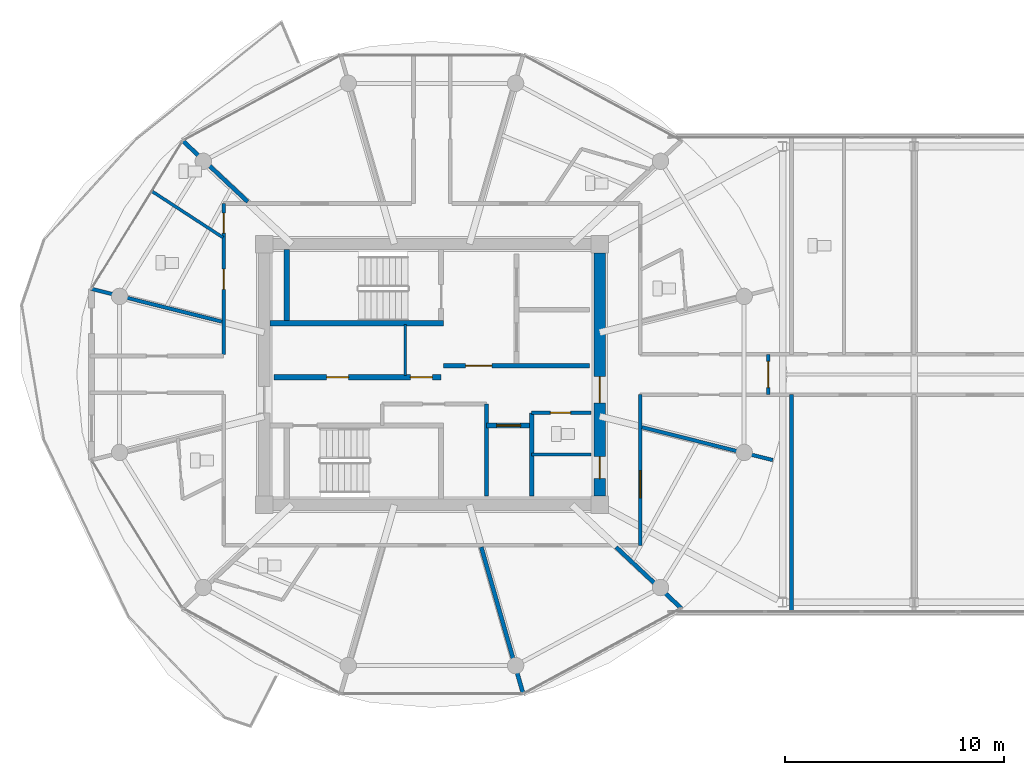
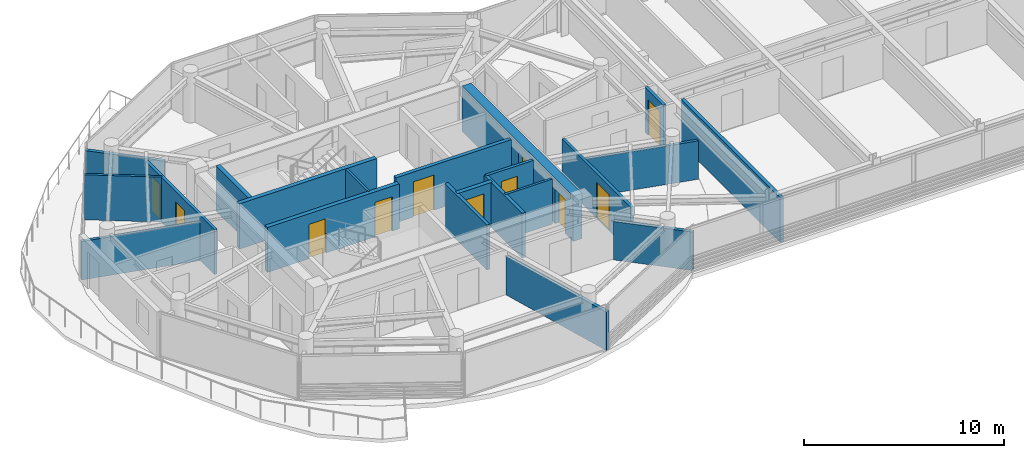
# One storey, part 15 of 26: 21 walls, 11 doors, 11 openings.
"""IFC4 building model written with IfcOpenShell, lengths in metres."""

from ifc_helpers import new_model, si_unit, direction, frame, frame_2d, origin, place, context, subcontext, project, spatial, rectangle, extrude, source, transform, mapped, material, layer, layer_set, type_object, type_shapes, element, fill, save


model = new_model("IFC4")

# Units and contexts
model_context = context("Model", 3, precision=1e-05, world=origin(), true_north=direction((0.0, 1.0)))
body_context = subcontext(model_context, "Body", "Model", "MODEL_VIEW")
ifc_project = project(units=[si_unit("LENGTHUNIT", "METRE"), si_unit("AREAUNIT", "SQUARE_METRE"), si_unit("VOLUMEUNIT", "CUBIC_METRE"), si_unit("PLANEANGLEUNIT", "RADIAN"), si_unit("MASSUNIT", "GRAM", prefix="KILO")], contexts=[model_context])

# Site, building, storey
site_placement = place(None, origin())
site = spatial("IfcSite", under=ifc_project, at=site_placement, CompositionType="ELEMENT")
building_placement = place(site_placement, origin())
building = spatial("IfcBuilding", under=site, at=building_placement, Name="Norrkilde Senior Care Towers", CompositionType="ELEMENT")
storey_placement = place(building_placement, frame((0.0, 0.0, 210.85009765625)))
storey = spatial("IfcBuildingStorey", under=building, at=storey_placement, Name="L65", CompositionType="ELEMENT", Elevation=210.85009765625)

# Wall, openings, doors
ifc_material_1 = material(Name="Concrete C50/60", Category="concrete")
ifc_layer_1 = layer(ifc_material_1, 0.52001953125)
ifc_layer_set_1 = layer_set([ifc_layer_1], Name="Concrete C50/60")
wall_type_1 = type_object("IfcWallType", Name="Core Shear Wall Z4 520", PredefinedType="SHEAR", material=ifc_layer_set_1)
shared_shape_1 = source(origin(), body_context, "Body", "SweptSolid", [
    extrude(rectangle(XDim=11.10009765625, YDim=0.52001953125, at=frame_2d((5.550048828125, 0.0))), origin(), (0.0, 0.0, 1.0), 2.760009765625),
])
type_shapes(wall_type_1, [shared_shape_1])
wall_1_placement = place(storey_placement, frame((-20.35009765625, 5.550048828125, 0.0), z_axis=(0.0, 0.0, 1.0), x_axis=(0.0, -1.0, 0.0)))
wall_1 = element("IfcWall", 1, at=wall_1_placement, inside=storey, type_object=wall_type_1, Name="L65 Core W East Shear Wall", PredefinedType="SHEAR", context=body_context, shape_type="MappedRepresentation", body=[
    mapped(shared_shape_1, transform((0.0, 0.0, 0.0), x_axis=(1.0, 0.0, 0.0), y_axis=(0.0, 1.0, 0.0), z_axis=(0.0, 0.0, 1.0), scale=1.0)),
])
opening_1_placement = place(wall_1_placement, frame((5.64990234375, 0.0, 0.0)))
opening_1 = element("IfcOpeningElement", 2, at=opening_1_placement, cuts=wall_1, Name="Opening D-04", PredefinedType="OPENING", context=body_context, shape_type="SweptSolid", body=[
    extrude(rectangle(XDim=1.199951171875, YDim=2.14990234375, at=frame_2d((0.60009765625, 1.074951171875))), frame((0.0, 0.27001953125, 0.0), z_axis=(0.0, -1.0, 0.0), x_axis=(1.0, 0.0, 0.0)), (0.0, 0.0, 1.0), 0.5400390625),
])
opening_2_placement = place(wall_1_placement, frame((9.300048828125, 0.0, 0.0)))
opening_2 = element("IfcOpeningElement", 3, at=opening_2_placement, cuts=wall_1, Name="Opening D-10", PredefinedType="OPENING", context=body_context, shape_type="SweptSolid", body=[
    extrude(rectangle(XDim=1.0, YDim=2.10009765625, at=frame_2d((0.5, 1.050048828125))), frame((0.0, 0.27001953125, 0.0), z_axis=(0.0, -1.0, 0.0), x_axis=(1.0, 0.0, 0.0)), (0.0, 0.0, 1.0), 0.5400390625),
])
ifc_material_2 = material(Name="Galvanised Painted Steel", Category="steel")
door_type_1 = type_object("IfcDoorType", Name="Firefighting Lobby Fire Door 1200x2150", OperationType="NOTDEFINED", PredefinedType="DOOR", material=ifc_material_2)
shared_shape_2 = source(origin(), body_context, "Body", "SweptSolid", [
    extrude(rectangle(XDim=1.199951171875, YDim=2.14990234375, at=frame_2d((0.60009765625, 1.074951171875))), frame((0.0, 0.02490234375, 0.0), z_axis=(0.0, -1.0, 0.0), x_axis=(1.0, 0.0, 0.0)), (0.0, 0.0, 1.0), 0.050048828125),
])
type_shapes(door_type_1, [shared_shape_2])
door_1_placement = place(opening_1_placement, frame((1.199951171875, 0.0, 0.0), z_axis=(0.0, 0.0, 1.0), x_axis=(-1.0, 0.0, 0.0)))
door_1 = element("IfcDoor", 4, at=door_1_placement, inside=storey, type_object=door_type_1, Name="L65 Core W East Portal Door", OperationType="SINGLE_SWING_RIGHT", OverallHeight=2.14990234375, OverallWidth=1.199951171875, PredefinedType="DOOR", context=body_context, shape_type="MappedRepresentation", body=[
    mapped(shared_shape_2, transform((0.0, 0.0, 0.0), x_axis=(1.0, 0.0, 0.0), y_axis=(0.0, 1.0, 0.0), z_axis=(0.0, 0.0, 1.0), scale=1.0)),
])
fill(opening_1, door_1)
door_type_2 = type_object("IfcDoorType", Name="Plant and Riser Rated Door 1000x2100", OperationType="NOTDEFINED", PredefinedType="DOOR", material=ifc_material_2)
shared_shape_3 = source(origin(), body_context, "Body", "SweptSolid", [
    extrude(rectangle(XDim=1.0, YDim=2.10009765625, at=frame_2d((0.5, 1.050048828125))), frame((0.0, 0.02490234375, 0.0), z_axis=(0.0, -1.0, 0.0), x_axis=(1.0, 0.0, 0.0)), (0.0, 0.0, 1.0), 0.050048828125),
])
type_shapes(door_type_2, [shared_shape_3])
door_2_placement = place(opening_2_placement, frame((1.0, 0.0, 0.0), z_axis=(0.0, 0.0, 1.0), x_axis=(-1.0, 0.0, 0.0)))
door_2 = element("IfcDoor", 5, at=door_2_placement, inside=storey, type_object=door_type_2, Name="L65 Ventilation Riser W Door", OperationType="SINGLE_SWING_RIGHT", OverallHeight=2.10009765625, OverallWidth=1.0, PredefinedType="DOOR", context=body_context, shape_type="MappedRepresentation", body=[
    mapped(shared_shape_3, transform((0.0, 0.0, 0.0), x_axis=(1.0, 0.0, 0.0), y_axis=(0.0, 1.0, 0.0), z_axis=(0.0, 0.0, 1.0), scale=1.0)),
])
fill(opening_2, door_2)

# Walls
ifc_material_3 = material(Name="Concrete C45/55", Category="concrete")
ifc_layer_2 = layer(ifc_material_3, 0.239990234375)
ifc_layer_set_2 = layer_set([ifc_layer_2], Name="Concrete C45/55")
wall_type_2 = type_object("IfcWallType", Name="Shaft and Stair Enclosure Wall 240", PredefinedType="PARTITIONING", material=ifc_layer_set_2)
shared_shape_4 = source(origin(), body_context, "Body", "SweptSolid", [
    extrude(rectangle(XDim=7.929931640625, YDim=0.239990234375, at=frame_2d((3.96484375, 0.0))), origin(), (0.0, 0.0, 1.0), 2.760009765625),
])
wall_2_placement = place(storey_placement, frame((-35.389892578125, 2.330078125, 0.0), z_axis=(0.0, 0.0, 1.0), x_axis=(1.0, 0.0, 0.0)))
element("IfcWall", 6, at=wall_2_placement, inside=storey, type_object=wall_type_2, Name="WL-INT-L65-W-ST1S", PredefinedType="PARTITIONING", context=body_context, shape_type="MappedRepresentation", body=[
    mapped(shared_shape_4, transform((0.0, 0.0, 0.0), x_axis=(1.0, 0.0, 0.0), y_axis=(0.0, 1.0, 0.0), z_axis=(0.0, 0.0, 1.0), scale=1.0)),
])
shared_shape_5 = source(origin(), body_context, "Body", "SweptSolid", [
    extrude(rectangle(XDim=3.239990234375, YDim=0.239990234375, at=frame_2d((1.6201171875, 0.0))), origin(), (0.0, 0.0, 1.0), 2.760009765625),
])
type_shapes(wall_type_2, [shared_shape_4, shared_shape_5])
wall_3_placement = place(storey_placement, frame((-34.6201171875, 2.449951171875, 0.0), z_axis=(0.0, 0.0, 1.0), x_axis=(0.0, 1.0, 0.0)))
element("IfcWall", 7, at=wall_3_placement, inside=storey, type_object=wall_type_2, Name="WL-INT-L65-W-ST1W", PredefinedType="PARTITIONING", context=body_context, shape_type="MappedRepresentation", body=[
    mapped(shared_shape_5, transform((0.0, 0.0, 0.0), x_axis=(1.0, 0.0, 0.0), y_axis=(0.0, 1.0, 0.0), z_axis=(0.0, 0.0, 1.0), scale=1.0)),
])
ifc_material_4 = material(Name="Gypsum Acoustic Board")
ifc_layer_3 = layer(ifc_material_4, 0.1650390625)
ifc_layer_set_3 = layer_set([ifc_layer_3], Name="Gypsum Acoustic Board")
wall_type_3 = type_object("IfcWallType", Name="Corridor Rated Partition 165", PredefinedType="PARTITIONING", material=ifc_layer_set_3)
shared_shape_6 = source(origin(), body_context, "Body", "SweptSolid", [
    extrude(rectangle(XDim=6.1572265625, YDim=0.1650390625, at=frame_2d((3.07861328125, 0.0))), origin(), (0.0, 0.0, 1.0), 2.344970703125),
])
for number, where, z_axis, x_axis, name in (
    (8, (-37.580078125, 2.407470703125, 0.0), (0.0, 0.0, 1.0), (-0.969840867184, 0.243738984038, 0.0), "WL-INT-L65-W-DEM-05-0"),
    (9, (-18.419921875, -2.407470703125, 0.0), (0.0, 0.0, 1.0), (0.969840867184, -0.243738984038, 0.0), "WL-INT-L65-W-DEM-11-0"),
):
    element("IfcWall", number, at=place(storey_placement, frame(where, z_axis=z_axis, x_axis=x_axis)), inside=storey, type_object=wall_type_3, Name=name, PredefinedType="PARTITIONING", context=body_context, shape_type="MappedRepresentation", body=[
        mapped(shared_shape_6, transform((0.0, 0.0, 0.0), x_axis=(1.0, 0.0, 0.0), y_axis=(0.0, 1.0, 0.0), z_axis=(0.0, 0.0, 1.0), scale=1.0)),
    ])
ifc_layer_4 = layer(ifc_material_4, 0.18994140625)
ifc_layer_set_4 = layer_set([ifc_layer_4], Name="Gypsum Acoustic Board")
wall_type_4 = type_object("IfcWallType", Name="Unit Demising Acoustic Wall 190", PredefinedType="PARTITIONING", material=ifc_layer_set_4)
shared_shape_7 = source(origin(), body_context, "Body", "SweptSolid", [
    extrude(rectangle(XDim=4.089111328125, YDim=0.18994140625, at=frame_2d((2.04443359375, 0.0))), origin(), (0.0, 0.0, 1.0), 2.344970703125),
])
for number, where, z_axis, x_axis, name in (
    (10, (-36.40185546875, 7.8798828125, 0.0), (0.0, 0.0, 1.0), (-0.729401273609, 0.684086092577, 0.0), "WL-INT-L65-W-DEM-04-0"),
    (11, (-19.59814453125, -7.8798828125, 0.0), (0.0, 0.0, 1.0), (0.729401273609, -0.684086092577, 0.0), "WL-INT-L65-W-DEM-10-0"),
):
    element("IfcWall", number, at=place(storey_placement, frame(where, z_axis=z_axis, x_axis=x_axis)), inside=storey, type_object=wall_type_4, Name=name, PredefinedType="PARTITIONING", context=body_context, shape_type="MappedRepresentation", body=[
        mapped(shared_shape_7, transform((0.0, 0.0, 0.0), x_axis=(1.0, 0.0, 0.0), y_axis=(0.0, 1.0, 0.0), z_axis=(0.0, 0.0, 1.0), scale=1.0)),
    ])
shared_shape_8 = source(origin(), body_context, "Body", "SweptSolid", [
    extrude(rectangle(XDim=6.973876953125, YDim=0.18994140625, at=frame_2d((3.48681640625, 0.0))), origin(), (0.0, 0.0, 1.0), 2.344970703125),
])
wall_4_placement = place(storey_placement, frame((-25.748779296875, -7.8798828125, 0.0), z_axis=(0.0, 0.0, 1.0), x_axis=(0.274707256801, -0.961527910703, 0.0)))
element("IfcWall", 12, at=wall_4_placement, inside=storey, type_object=wall_type_4, Name="WL-INT-L65-W-DEM-09-0", PredefinedType="PARTITIONING", context=body_context, shape_type="MappedRepresentation", body=[
    mapped(shared_shape_8, transform((0.0, 0.0, 0.0), x_axis=(1.0, 0.0, 0.0), y_axis=(0.0, 1.0, 0.0), z_axis=(0.0, 0.0, 1.0), scale=1.0)),
])

# Wall, opening, door
ifc_layer_5 = layer(ifc_material_3, 0.2099609375)
ifc_layer_set_5 = layer_set([ifc_layer_5], Name="Concrete C45/55")
wall_type_5 = type_object("IfcWallType", Name="Firefighting Lobby Wall 210", PredefinedType="PARTITIONING", material=ifc_layer_set_5)
shared_shape_9 = source(origin(), body_context, "Body", "SweptSolid", [
    extrude(rectangle(XDim=6.659912109375, YDim=0.2099609375, at=frame_2d((3.330078125, 0.0))), origin(), (0.0, 0.0, 1.0), 2.744873046875),
])
type_shapes(wall_type_5, [shared_shape_9])
wall_5_placement = place(storey_placement, frame((-27.4599609375, 0.389892578125, 0.0), z_axis=(0.0, 0.0, 1.0), x_axis=(1.0, 0.0, 0.0)))
wall_5 = element("IfcWall", 13, at=wall_5_placement, inside=storey, type_object=wall_type_5, Name="WL-INT-L65-W-FFLS", PredefinedType="PARTITIONING", context=body_context, shape_type="MappedRepresentation", body=[
    mapped(shared_shape_9, transform((0.0, 0.0, 0.0), x_axis=(1.0, 0.0, 0.0), y_axis=(0.0, 1.0, 0.0), z_axis=(0.0, 0.0, 1.0), scale=1.0)),
])
opening_3_placement = place(wall_5_placement, frame((1.0, 0.0, 0.0)))
opening_3 = element("IfcOpeningElement", 14, at=opening_3_placement, cuts=wall_5, Name="Opening D-04", PredefinedType="OPENING", context=body_context, shape_type="SweptSolid", body=[
    extrude(rectangle(XDim=1.199951171875, YDim=2.14990234375, at=frame_2d((0.60009765625, 1.074951171875))), frame((0.0, 0.114990234375, 0.0), z_axis=(0.0, -1.0, 0.0), x_axis=(1.0, 0.0, 0.0)), (0.0, 0.0, 1.0), 0.22998046875),
])
door_3_placement = place(opening_3_placement, frame((1.199951171875, 0.0, 0.0), z_axis=(0.0, 0.0, 1.0), x_axis=(-1.0, 0.0, 0.0)))
door_3 = element("IfcDoor", 15, at=door_3_placement, inside=storey, type_object=door_type_1, Name="L65 Firefighting Lobby W Door", OperationType="SINGLE_SWING_LEFT", OverallHeight=2.14990234375, OverallWidth=1.199951171875, PredefinedType="DOOR", context=body_context, shape_type="MappedRepresentation", body=[
    mapped(shared_shape_2, transform((0.0, 0.0, 0.0), x_axis=(1.0, 0.0, 0.0), y_axis=(0.0, 1.0, 0.0), z_axis=(0.0, 0.0, 1.0), scale=1.0)),
])
fill(opening_3, door_3)

# Wall, openings, doors
ifc_layer_6 = layer(ifc_material_3, 0.239990234375)
ifc_layer_set_6 = layer_set([ifc_layer_6], Name="Concrete C45/55")
wall_type_6 = type_object("IfcWallType", Name="Lift and Plant Rated Enclosure Partition 240", PredefinedType="PARTITIONING", material=ifc_layer_set_6)
shared_shape_10 = source(origin(), body_context, "Body", "SweptSolid", [
    extrude(rectangle(XDim=7.619873046875, YDim=0.239990234375, at=frame_2d((3.81005859375, 0.0))), origin(), (0.0, 0.0, 1.0), 2.744873046875),
])
wall_6_placement = place(storey_placement, frame((-35.199951171875, -0.1298828125, 0.0), z_axis=(0.0, 0.0, 1.0), x_axis=(1.0, 0.0, 0.0)))
wall_6 = element("IfcWall", 16, at=wall_6_placement, inside=storey, type_object=wall_type_6, Name="WL-INT-L65-W-PKAS", PredefinedType="PARTITIONING", context=body_context, shape_type="MappedRepresentation", body=[
    mapped(shared_shape_10, transform((0.0, 0.0, 0.0), x_axis=(1.0, 0.0, 0.0), y_axis=(0.0, 1.0, 0.0), z_axis=(0.0, 0.0, 1.0), scale=1.0)),
])
opening_4_placement = place(wall_6_placement, frame((6.219970703125, 0.0, 0.0)))
opening_4 = element("IfcOpeningElement", 17, at=opening_4_placement, cuts=wall_6, Name="Opening D-10", PredefinedType="OPENING", context=body_context, shape_type="SweptSolid", body=[
    extrude(rectangle(XDim=1.0, YDim=2.10009765625, at=frame_2d((0.5, 1.050048828125))), frame((0.0, 0.1298828125, 0.0), z_axis=(0.0, -1.0, 0.0), x_axis=(1.0, 0.0, 0.0)), (0.0, 0.0, 1.0), 0.260009765625),
])
opening_5_placement = place(wall_6_placement, frame((2.39990234375, 0.0, 0.0)))
opening_5 = element("IfcOpeningElement", 18, at=opening_5_placement, cuts=wall_6, Name="Opening D-10", PredefinedType="OPENING", context=body_context, shape_type="SweptSolid", body=[
    extrude(rectangle(XDim=1.0, YDim=2.10009765625, at=frame_2d((0.5, 1.050048828125))), frame((0.0, 0.1298828125, 0.0), z_axis=(0.0, -1.0, 0.0), x_axis=(1.0, 0.0, 0.0)), (0.0, 0.0, 1.0), 0.260009765625),
])
door_4_placement = place(opening_4_placement, frame((1.0, 0.0, 0.0), z_axis=(0.0, 0.0, 1.0), x_axis=(-1.0, 0.0, 0.0)))
door_4 = element("IfcDoor", 19, at=door_4_placement, inside=storey, type_object=door_type_2, Name="L65 Electrical Riser W Door", OperationType="SINGLE_SWING_LEFT", OverallHeight=2.10009765625, OverallWidth=1.0, PredefinedType="DOOR", context=body_context, shape_type="MappedRepresentation", body=[
    mapped(shared_shape_3, transform((0.0, 0.0, 0.0), x_axis=(1.0, 0.0, 0.0), y_axis=(0.0, 1.0, 0.0), z_axis=(0.0, 0.0, 1.0), scale=1.0)),
])
fill(opening_4, door_4)
door_5_placement = place(opening_5_placement, frame((1.0, 0.0, 0.0), z_axis=(0.0, 0.0, 1.0), x_axis=(-1.0, 0.0, 0.0)))
door_5 = element("IfcDoor", 20, at=door_5_placement, inside=storey, type_object=door_type_2, Name="L65 Clean Supply Store W Door", OperationType="SINGLE_SWING_LEFT", OverallHeight=2.10009765625, OverallWidth=1.0, PredefinedType="DOOR", context=body_context, shape_type="MappedRepresentation", body=[
    mapped(shared_shape_3, transform((0.0, 0.0, 0.0), x_axis=(1.0, 0.0, 0.0), y_axis=(0.0, 1.0, 0.0), z_axis=(0.0, 0.0, 1.0), scale=1.0)),
])
fill(opening_5, door_5)

# Walls
ifc_layer_7 = layer(ifc_material_4, 0.114990234375)
ifc_layer_set_7 = layer_set([ifc_layer_7], Name="Gypsum Acoustic Board")
wall_type_7 = type_object("IfcWallType", Name="Internal Room Partition 115", PredefinedType="PARTITIONING", material=ifc_layer_set_7)
shared_shape_11 = source(origin(), body_context, "Body", "SweptSolid", [
    extrude(rectangle(XDim=2.330078125, YDim=0.114990234375, at=frame_2d((1.1650390625, 0.0))), origin(), (0.0, 0.0, 1.0), 2.744873046875),
])
type_shapes(wall_type_7, [shared_shape_11])
wall_7_placement = place(storey_placement, frame((-29.2099609375, -0.050048828125, 0.0), z_axis=(0.0, 0.0, 1.0), x_axis=(0.0, 1.0, 0.0)))
element("IfcWall", 21, at=wall_7_placement, inside=storey, type_object=wall_type_7, Name="WL-INT-L65-W-RISW", PredefinedType="PARTITIONING", context=body_context, shape_type="MappedRepresentation", body=[
    mapped(shared_shape_11, transform((0.0, 0.0, 0.0), x_axis=(1.0, 0.0, 0.0), y_axis=(0.0, 1.0, 0.0), z_axis=(0.0, 0.0, 1.0), scale=1.0)),
])
ifc_layer_8 = layer(ifc_material_3, 0.199951171875)
ifc_layer_set_8 = layer_set([ifc_layer_8], Name="Concrete C45/55")
wall_type_8 = type_object("IfcWallType", Name="Shaft Division and Plant Partition 200", PredefinedType="PARTITIONING", material=ifc_layer_set_8)
shared_shape_12 = source(origin(), body_context, "Body", "SweptSolid", [
    extrude(rectangle(XDim=3.800048828125, YDim=0.199951171875, at=frame_2d((1.89990234375, 0.0))), origin(), (0.0, 0.0, 1.0), 2.744873046875),
])
type_shapes(wall_type_8, [shared_shape_12])
wall_8_placement = place(storey_placement, frame((-23.449951171875, -5.550048828125, 0.0), z_axis=(0.0, 0.0, 1.0), x_axis=(0.0, 1.0, 0.0)))
element("IfcWall", 22, at=wall_8_placement, inside=storey, type_object=wall_type_8, Name="WL-INT-L65-W-PKBE", PredefinedType="PARTITIONING", context=body_context, shape_type="MappedRepresentation", body=[
    mapped(shared_shape_12, transform((0.0, 0.0, 0.0), x_axis=(1.0, 0.0, 0.0), y_axis=(0.0, 1.0, 0.0), z_axis=(0.0, 0.0, 1.0), scale=1.0)),
])

# Wall, opening, door
shared_shape_13 = source(origin(), body_context, "Body", "SweptSolid", [
    extrude(rectangle(XDim=2.050048828125, YDim=0.239990234375, at=frame_2d((1.02490234375, 0.0))), origin(), (0.0, 0.0, 1.0), 2.744873046875),
])
type_shapes(wall_type_6, [shared_shape_10, shared_shape_13])
wall_9_placement = place(storey_placement, frame((-25.5, -2.330078125, 0.0), z_axis=(0.0, 0.0, 1.0), x_axis=(1.0, 0.0, 0.0)))
wall_9 = element("IfcWall", 23, at=wall_9_placement, inside=storey, type_object=wall_type_6, Name="WL-INT-L65-W-PL4N", PredefinedType="PARTITIONING", context=body_context, shape_type="MappedRepresentation", body=[
    mapped(shared_shape_13, transform((0.0, 0.0, 0.0), x_axis=(1.0, 0.0, 0.0), y_axis=(0.0, 1.0, 0.0), z_axis=(0.0, 0.0, 1.0), scale=1.0)),
])
opening_6_placement = place(wall_9_placement, frame((0.449951171875, 0.0, 0.0)))
opening_6 = element("IfcOpeningElement", 24, at=opening_6_placement, cuts=wall_9, Name="Opening LD-01", PredefinedType="OPENING", context=body_context, shape_type="SweptSolid", body=[
    extrude(rectangle(XDim=1.10009765625, YDim=2.199951171875, at=frame_2d((0.550048828125, 1.10009765625))), frame((0.0, 0.1298828125, 0.0), z_axis=(0.0, -1.0, 0.0), x_axis=(1.0, 0.0, 0.0)), (0.0, 0.0, 1.0), 0.260009765625),
])
ifc_material_5 = material(Name="Stainless Steel", Category="steel")
door_type_3 = type_object("IfcDoorType", Name="Lift Landing Sliding Door 1100x2200", OperationType="NOTDEFINED", PredefinedType="DOOR", material=ifc_material_5)
shared_shape_14 = source(origin(), body_context, "Body", "SweptSolid", [
    extrude(rectangle(XDim=1.10009765625, YDim=2.199951171875, at=frame_2d((0.550048828125, 1.10009765625))), frame((0.0, 0.02490234375, 0.0), z_axis=(0.0, -1.0, 0.0), x_axis=(1.0, 0.0, 0.0)), (0.0, 0.0, 1.0), 0.050048828125),
])
type_shapes(door_type_3, [shared_shape_14])
door_6_placement = place(opening_6_placement, frame((1.10009765625, 0.0, 0.0), z_axis=(0.0, 0.0, 1.0), x_axis=(-1.0, 0.0, 0.0)))
door_6 = element("IfcDoor", 25, at=door_6_placement, inside=storey, type_object=door_type_3, Name="L65 Passenger Lift W4 Landing Door", OperationType="SLIDING_TO_RIGHT", OverallHeight=2.199951171875, OverallWidth=1.10009765625, PredefinedType="DOOR", context=body_context, shape_type="MappedRepresentation", body=[
    mapped(shared_shape_14, transform((0.0, 0.0, 0.0), x_axis=(1.0, 0.0, 0.0), y_axis=(0.0, 1.0, 0.0), z_axis=(0.0, 0.0, 1.0), scale=1.0)),
])
fill(opening_6, door_6)

# Wall
ifc_layer_9 = layer(ifc_material_3, 0.179931640625)
ifc_layer_set_9 = layer_set([ifc_layer_9], Name="Concrete C45/55")
wall_type_9 = type_object("IfcWallType", Name="Hoistway Division Rated Partition 180", PredefinedType="PARTITIONING", material=ifc_layer_set_9)
shared_shape_15 = source(origin(), body_context, "Body", "SweptSolid", [
    extrude(rectangle(XDim=4.199951171875, YDim=0.179931640625, at=frame_2d((2.10009765625, 0.0))), origin(), (0.0, 0.0, 1.0), 2.744873046875),
])
type_shapes(wall_type_9, [shared_shape_15])
wall_10_placement = place(storey_placement, frame((-25.5, -5.550048828125, 0.0), z_axis=(0.0, 0.0, 1.0), x_axis=(0.0, 1.0, 0.0)))
element("IfcWall", 26, at=wall_10_placement, inside=storey, type_object=wall_type_9, Name="WL-INT-L65-W-PL4W", PredefinedType="PARTITIONING", context=body_context, shape_type="MappedRepresentation", body=[
    mapped(shared_shape_15, transform((0.0, 0.0, 0.0), x_axis=(1.0, 0.0, 0.0), y_axis=(0.0, 1.0, 0.0), z_axis=(0.0, 0.0, 1.0), scale=1.0)),
])

# Wall, opening, door
shared_shape_16 = source(origin(), body_context, "Body", "SweptSolid", [
    extrude(rectangle(XDim=2.699951171875, YDim=0.1650390625, at=frame_2d((1.35009765625, 0.0))), origin(), (0.0, 0.0, 1.0), 2.744873046875),
])
wall_11_placement = place(storey_placement, frame((-23.449951171875, -1.75, 0.0), z_axis=(0.0, 0.0, 1.0), x_axis=(1.0, 0.0, 0.0)))
wall_11 = element("IfcWall", 27, at=wall_11_placement, inside=storey, type_object=wall_type_3, Name="WL-INT-L65-W-CSN", PredefinedType="PARTITIONING", context=body_context, shape_type="MappedRepresentation", body=[
    mapped(shared_shape_16, transform((0.0, 0.0, 0.0), x_axis=(1.0, 0.0, 0.0), y_axis=(0.0, 1.0, 0.0), z_axis=(0.0, 0.0, 1.0), scale=1.0)),
])
opening_7_placement = place(wall_11_placement, frame((0.85009765625, 0.0, 0.0)))
opening_7 = element("IfcOpeningElement", 28, at=opening_7_placement, cuts=wall_11, Name="Opening D-12", PredefinedType="OPENING", context=body_context, shape_type="SweptSolid", body=[
    extrude(rectangle(XDim=0.925048828125, YDim=2.10009765625, at=frame_2d((0.46240234375, 1.050048828125))), frame((0.0, 0.092529296875, 0.0), z_axis=(0.0, -1.0, 0.0), x_axis=(1.0, 0.0, 0.0)), (0.0, 0.0, 1.0), 0.18505859375),
])
door_type_4 = type_object("IfcDoorType", Name="Core Wet Room Rated Door 925x2100", OperationType="NOTDEFINED", PredefinedType="DOOR", material=ifc_material_2)
shared_shape_17 = source(origin(), body_context, "Body", "SweptSolid", [
    extrude(rectangle(XDim=0.925048828125, YDim=2.10009765625, at=frame_2d((0.46240234375, 1.050048828125))), frame((0.0, 0.02490234375, 0.0), z_axis=(0.0, -1.0, 0.0), x_axis=(1.0, 0.0, 0.0)), (0.0, 0.0, 1.0), 0.050048828125),
])
type_shapes(door_type_4, [shared_shape_17])
door_7_placement = place(opening_7_placement, origin())
door_7 = element("IfcDoor", 29, at=door_7_placement, inside=storey, type_object=door_type_4, Name="L65 Staff WC W Door", OperationType="SINGLE_SWING_LEFT", OverallHeight=2.10009765625, OverallWidth=0.925048828125, PredefinedType="DOOR", context=body_context, shape_type="MappedRepresentation", body=[
    mapped(shared_shape_17, transform((0.0, 0.0, 0.0), x_axis=(1.0, 0.0, 0.0), y_axis=(0.0, 1.0, 0.0), z_axis=(0.0, 0.0, 1.0), scale=1.0)),
])
fill(opening_7, door_7)

# Wall
ifc_layer_10 = layer(ifc_material_4, 0.139892578125)
ifc_layer_set_10 = layer_set([ifc_layer_10], Name="Gypsum Acoustic Board")
wall_type_10 = type_object("IfcWallType", Name="En-suite Wet Room Wall 140", PredefinedType="PARTITIONING", material=ifc_layer_set_10)
shared_shape_18 = source(origin(), body_context, "Body", "SweptSolid", [
    extrude(rectangle(XDim=2.699951171875, YDim=0.139892578125, at=frame_2d((1.35009765625, 0.0))), origin(), (0.0, 0.0, 1.0), 2.744873046875),
])
wall_12_placement = place(storey_placement, frame((-23.449951171875, -3.64990234375, 0.0), z_axis=(0.0, 0.0, 1.0), x_axis=(1.0, 0.0, 0.0)))
element("IfcWall", 30, at=wall_12_placement, inside=storey, type_object=wall_type_10, Name="WL-INT-L65-W-CS2H", PredefinedType="PARTITIONING", context=body_context, shape_type="MappedRepresentation", body=[
    mapped(shared_shape_18, transform((0.0, 0.0, 0.0), x_axis=(1.0, 0.0, 0.0), y_axis=(0.0, 1.0, 0.0), z_axis=(0.0, 0.0, 1.0), scale=1.0)),
])

# Wall, openings, doors
shared_shape_19 = source(origin(), body_context, "Body", "SweptSolid", [
    extrude(rectangle(XDim=6.880126953125, YDim=0.1650390625, at=frame_2d((3.43994140625, 0.0))), origin(), (0.0, 0.0, 1.0), 2.744873046875),
])
wall_13_placement = place(storey_placement, frame((-37.5, 0.919921875, 0.0), z_axis=(0.0, 0.0, 1.0), x_axis=(0.0, 1.0, 0.0)))
wall_13 = element("IfcWall", 31, at=wall_13_placement, inside=storey, type_object=wall_type_3, Name="WL-INT-L65-W-CRW-W-1", PredefinedType="PARTITIONING", context=body_context, shape_type="MappedRepresentation", body=[
    mapped(shared_shape_19, transform((0.0, 0.0, 0.0), x_axis=(1.0, 0.0, 0.0), y_axis=(0.0, 1.0, 0.0), z_axis=(0.0, 0.0, 1.0), scale=1.0)),
])
opening_8_placement = place(wall_13_placement, frame((5.525146484375, 0.0, 0.0)))
opening_8 = element("IfcOpeningElement", 32, at=opening_8_placement, cuts=wall_13, Name="Opening D-08", PredefinedType="OPENING", context=body_context, shape_type="SweptSolid", body=[
    extrude(rectangle(XDim=0.919921875, YDim=2.10009765625, at=frame_2d((0.4599609375, 1.050048828125))), frame((0.0, 0.092529296875, 0.0), z_axis=(0.0, -1.0, 0.0), x_axis=(1.0, 0.0, 0.0)), (0.0, 0.0, 1.0), 0.18505859375),
])
opening_9_placement = place(wall_13_placement, frame((2.96240234375, 0.0, 0.0)))
opening_9 = element("IfcOpeningElement", 33, at=opening_9_placement, cuts=wall_13, Name="Opening D-08", PredefinedType="OPENING", context=body_context, shape_type="SweptSolid", body=[
    extrude(rectangle(XDim=0.919921875, YDim=2.10009765625, at=frame_2d((0.4599609375, 1.050048828125))), frame((0.0, 0.092529296875, 0.0), z_axis=(0.0, -1.0, 0.0), x_axis=(1.0, 0.0, 0.0)), (0.0, 0.0, 1.0), 0.18505859375),
])
ifc_material_6 = material(Name="Nordic Ash Timber", Category="wood")
door_type_5 = type_object("IfcDoorType", Name="Accessible Wet Room Door 920x2100", OperationType="NOTDEFINED", PredefinedType="DOOR", material=ifc_material_6)
shared_shape_20 = source(origin(), body_context, "Body", "SweptSolid", [
    extrude(rectangle(XDim=0.919921875, YDim=2.10009765625, at=frame_2d((0.4599609375, 1.050048828125))), frame((0.0, 0.02490234375, 0.0), z_axis=(0.0, -1.0, 0.0), x_axis=(1.0, 0.0, 0.0)), (0.0, 0.0, 1.0), 0.050048828125),
])
type_shapes(door_type_5, [shared_shape_20])
door_8_placement = place(opening_8_placement, frame((0.919921875, 0.0, 0.0), z_axis=(0.0, 0.0, 1.0), x_axis=(-1.0, 0.0, 0.0)))
door_8 = element("IfcDoor", 34, at=door_8_placement, inside=storey, type_object=door_type_5, Name="L65 Accessible Restroom Door", OperationType="SINGLE_SWING_LEFT", OverallHeight=2.10009765625, OverallWidth=0.919921875, PredefinedType="DOOR", context=body_context, shape_type="MappedRepresentation", body=[
    mapped(shared_shape_20, transform((0.0, 0.0, 0.0), x_axis=(1.0, 0.0, 0.0), y_axis=(0.0, 1.0, 0.0), z_axis=(0.0, 0.0, 1.0), scale=1.0)),
])
fill(opening_8, door_8)
door_9_placement = place(opening_9_placement, frame((0.919921875, 0.0, 0.0), z_axis=(0.0, 0.0, 1.0), x_axis=(-1.0, 0.0, 0.0)))
door_9 = element("IfcDoor", 35, at=door_9_placement, inside=storey, type_object=door_type_5, Name="L65 Public Restroom Door", OperationType="SINGLE_SWING_RIGHT", OverallHeight=2.10009765625, OverallWidth=0.919921875, PredefinedType="DOOR", context=body_context, shape_type="MappedRepresentation", body=[
    mapped(shared_shape_20, transform((0.0, 0.0, 0.0), x_axis=(1.0, 0.0, 0.0), y_axis=(0.0, 1.0, 0.0), z_axis=(0.0, 0.0, 1.0), scale=1.0)),
])
fill(opening_9, door_9)

# Wall, opening, door
wall_14_placement = place(storey_placement, frame((-18.5, -0.919921875, 0.0), z_axis=(0.0, 0.0, 1.0), x_axis=(0.0, -1.0, 0.0)))
wall_14 = element("IfcWall", 36, at=wall_14_placement, inside=storey, type_object=wall_type_3, Name="WL-INT-L65-W-CRW-E-1", PredefinedType="PARTITIONING", context=body_context, shape_type="MappedRepresentation", body=[
    mapped(shared_shape_19, transform((0.0, 0.0, 0.0), x_axis=(1.0, 0.0, 0.0), y_axis=(0.0, 1.0, 0.0), z_axis=(0.0, 0.0, 1.0), scale=1.0)),
])
opening_10_placement = place(wall_14_placement, frame((3.46435546875, 0.0, 0.0)))
opening_10 = element("IfcOpeningElement", 37, at=opening_10_placement, cuts=wall_14, Name="Opening D-05", PredefinedType="OPENING", context=body_context, shape_type="SweptSolid", body=[
    extrude(rectangle(XDim=1.25, YDim=2.199951171875, at=frame_2d((0.625, 1.10009765625))), frame((0.0, 0.092529296875, 0.0), z_axis=(0.0, -1.0, 0.0), x_axis=(1.0, 0.0, 0.0)), (0.0, 0.0, 1.0), 0.18505859375),
])
door_type_6 = type_object("IfcDoorType", Name="Care Bedroom Bariatric Door 1250x2200", OperationType="NOTDEFINED", PredefinedType="DOOR", material=ifc_material_6)
shared_shape_21 = source(origin(), body_context, "Body", "SweptSolid", [
    extrude(rectangle(XDim=1.25, YDim=2.199951171875, at=frame_2d((0.625, 1.10009765625))), frame((0.0, 0.02490234375, 0.0), z_axis=(0.0, -1.0, 0.0), x_axis=(1.0, 0.0, 0.0)), (0.0, 0.0, 1.0), 0.050048828125),
])
type_shapes(door_type_6, [shared_shape_21])
door_10_placement = place(opening_10_placement, frame((1.25, 0.0, 0.0), z_axis=(0.0, 0.0, 1.0), x_axis=(-1.0, 0.0, 0.0)))
door_10 = element("IfcDoor", 38, at=door_10_placement, inside=storey, type_object=door_type_6, Name="L65 Resident Family Conference Room Door", OperationType="SINGLE_SWING_LEFT", OverallHeight=2.199951171875, OverallWidth=1.25, PredefinedType="DOOR", context=body_context, shape_type="MappedRepresentation", body=[
    mapped(shared_shape_21, transform((0.0, 0.0, 0.0), x_axis=(1.0, 0.0, 0.0), y_axis=(0.0, 1.0, 0.0), z_axis=(0.0, 0.0, 1.0), scale=1.0)),
])
fill(opening_10, door_10)

# Wall
shared_shape_22 = source(origin(), body_context, "Body", "SweptSolid", [
    extrude(rectangle(XDim=3.903564453125, YDim=0.139892578125, at=frame_2d((1.95166015625, 0.0))), origin(), (0.0, 0.0, 1.0), 2.744873046875),
])
type_shapes(wall_type_10, [shared_shape_18, shared_shape_22])
wall_15_placement = place(storey_placement, frame((-37.530029296875, 6.245849609375, 0.0), z_axis=(0.0, 0.0, 1.0), x_axis=(-0.838024687996, 0.545632314209, 0.0)))
element("IfcWall", 39, at=wall_15_placement, inside=storey, type_object=wall_type_10, Name="WL-INT-L65-W-MID-04", PredefinedType="PARTITIONING", context=body_context, shape_type="MappedRepresentation", body=[
    mapped(shared_shape_22, transform((0.0, 0.0, 0.0), x_axis=(1.0, 0.0, 0.0), y_axis=(0.0, 1.0, 0.0), z_axis=(0.0, 0.0, 1.0), scale=1.0)),
])

# Wall, opening, door
shared_shape_23 = source(origin(), body_context, "Body", "SweptSolid", [
    extrude(rectangle(XDim=1.83984375, YDim=0.1650390625, at=frame_2d((0.919921875, 0.0))), origin(), (0.0, 0.0, 1.0), 2.744873046875),
])
type_shapes(wall_type_3, [shared_shape_6, shared_shape_16, shared_shape_19, shared_shape_23])
wall_16_placement = place(storey_placement, frame((-12.64990234375, -0.919921875, 0.0), z_axis=(0.0, 0.0, 1.0), x_axis=(0.0, 1.0, 0.0)))
wall_16 = element("IfcWall", 40, at=wall_16_placement, inside=storey, type_object=wall_type_3, Name="WL-INT-L65-BR-GW", PredefinedType="PARTITIONING", context=body_context, shape_type="MappedRepresentation", body=[
    mapped(shared_shape_23, transform((0.0, 0.0, 0.0), x_axis=(1.0, 0.0, 0.0), y_axis=(0.0, 1.0, 0.0), z_axis=(0.0, 0.0, 1.0), scale=1.0)),
])
opening_11_placement = place(wall_16_placement, frame((0.320068359375, 0.0, 0.0)))
opening_11 = element("IfcOpeningElement", 41, at=opening_11_placement, cuts=wall_16, Name="Opening D-04", PredefinedType="OPENING", context=body_context, shape_type="SweptSolid", body=[
    extrude(rectangle(XDim=1.199951171875, YDim=2.14990234375, at=frame_2d((0.60009765625, 1.074951171875))), frame((0.0, 0.092529296875, 0.0), z_axis=(0.0, -1.0, 0.0), x_axis=(1.0, 0.0, 0.0)), (0.0, 0.0, 1.0), 0.18505859375),
])
door_11_placement = place(opening_11_placement, frame((1.199951171875, 0.0, 0.0), z_axis=(0.0, 0.0, 1.0), x_axis=(-1.0, 0.0, 0.0)))
door_11 = element("IfcDoor", 42, at=door_11_placement, inside=storey, type_object=door_type_1, Name="L65 Sky-Gate Bridge GW Fire Door", OperationType="SINGLE_SWING_LEFT", OverallHeight=2.14990234375, OverallWidth=1.199951171875, PredefinedType="DOOR", context=body_context, shape_type="MappedRepresentation", body=[
    mapped(shared_shape_2, transform((0.0, 0.0, 0.0), x_axis=(1.0, 0.0, 0.0), y_axis=(0.0, 1.0, 0.0), z_axis=(0.0, 0.0, 1.0), scale=1.0)),
])
fill(opening_11, door_11)

# Wall
shared_shape_24 = source(origin(), body_context, "Body", "SweptSolid", [
    extrude(rectangle(XDim=9.880126953125, YDim=0.18994140625, at=frame_2d((4.93994140625, 0.0))), origin(), (0.0, 0.0, 1.0), 2.744873046875),
])
type_shapes(wall_type_4, [shared_shape_7, shared_shape_8, shared_shape_24])
wall_17_placement = place(storey_placement, frame((-11.60009765625, -10.800048828125, 0.0), z_axis=(0.0, 0.0, 1.0), x_axis=(0.0, 1.0, 0.0)))
element("IfcWall", 43, at=wall_17_placement, inside=storey, type_object=wall_type_4, Name="WL-INT-L65-BR-ES-12", PredefinedType="PARTITIONING", context=body_context, shape_type="MappedRepresentation", body=[
    mapped(shared_shape_24, transform((0.0, 0.0, 0.0), x_axis=(1.0, 0.0, 0.0), y_axis=(0.0, 1.0, 0.0), z_axis=(0.0, 0.0, 1.0), scale=1.0)),
])

save(model, "model.ifc")
